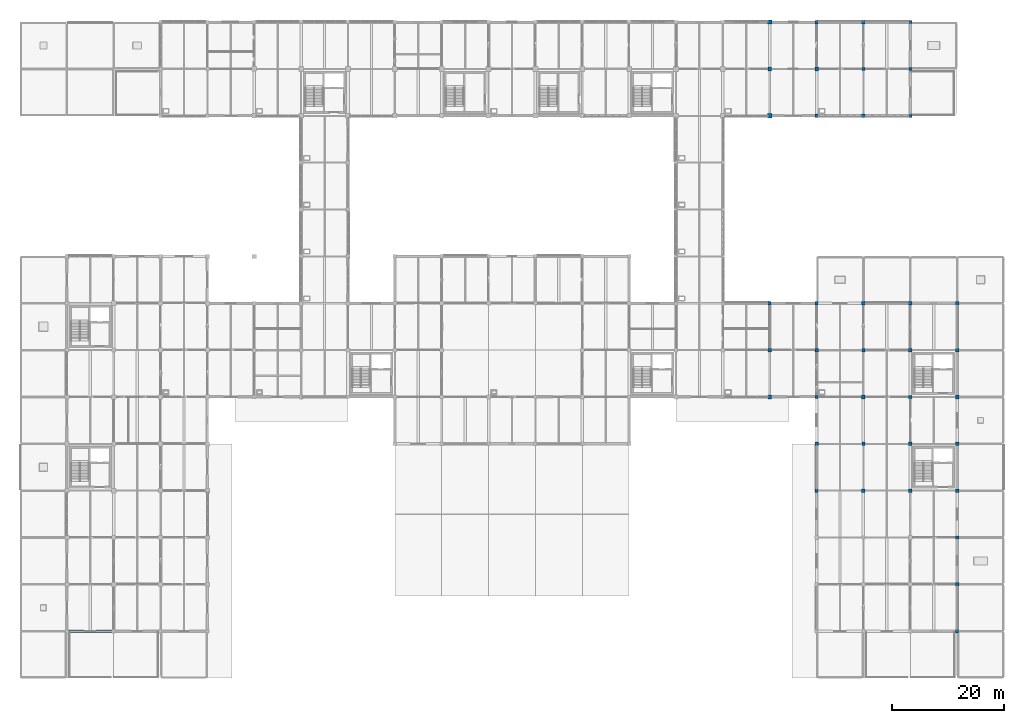
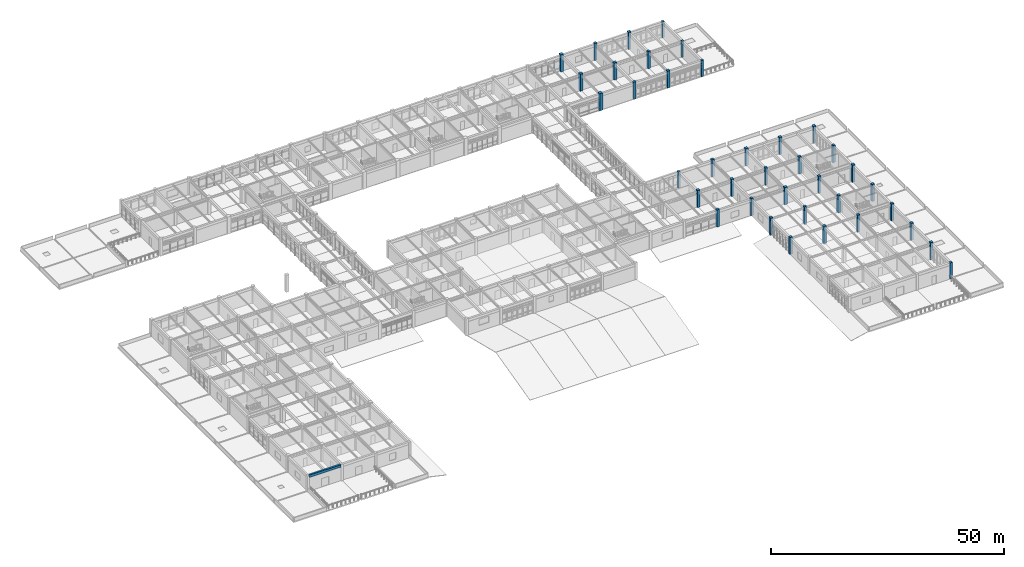
# One storey, part 2 of 78: 38 columns, 1 beam.
"""IFC4 building model written with IfcOpenShell, lengths in metres."""

from ifc_helpers import new_model, si_unit, direction, frame, origin, origin_2d, place, context, subcontext, project, spatial, rectangle, extrude, material, material_profile, profile_set, type_object, element, save


model = new_model("IFC4")

# Units and contexts
model_context = context("Model", 3, precision=1e-05, world=origin(), true_north=direction((0.0, 1.0)))
body_context = subcontext(model_context, "Body", "Model", "MODEL_VIEW")
ifc_project = project(units=[si_unit("LENGTHUNIT", "METRE"), si_unit("AREAUNIT", "SQUARE_METRE"), si_unit("VOLUMEUNIT", "CUBIC_METRE"), si_unit("PLANEANGLEUNIT", "RADIAN"), si_unit("MASSUNIT", "GRAM", prefix="KILO")], contexts=[model_context])

# Site, building, storey
site_placement = place(None, origin())
site = spatial("IfcSite", under=ifc_project, at=site_placement, CompositionType="ELEMENT")
building_placement = place(site_placement, origin())
building = spatial("IfcBuilding", under=site, at=building_placement, Name="Porcellanite Civic Hall", CompositionType="ELEMENT")
storey_placement = place(building_placement, frame((0.0, 0.0, 10.260009765625)))
storey = spatial("IfcBuildingStorey", under=building, at=storey_placement, Name="L02", CompositionType="ELEMENT", Elevation=10.260009765625)

# Columns
ifc_material_1 = material(Name="Concrete N50 (50 MPa)", Category="concrete")
ifc_material_profile_1 = material_profile(ifc_material_1, rectangle(XDim=0.550048828125, YDim=0.550048828125, at=origin_2d()), Name="RC-550x550")
ifc_profile_set_1 = profile_set([ifc_material_profile_1], Name="Concrete N50 (50 MPa)")
column_type_1 = type_object("IfcColumnType", Name="COL-550", PredefinedType="COLUMN", material=ifc_profile_set_1)
for number, where, z_axis, x_axis, name in (
    (1, (134.39990234375, 67.199951171875, 0.0), (0.0, 0.0, 1.0), (1.0, 0.0, 0.0), "Column L02 16-8"),
    (2, (159.60009765625, 100.800048828125, 0.0), (0.0, 0.0, 1.0), (1.0, 0.0, 0.0), "Column L02 19-12"),
    (3, (159.60009765625, 109.199951171875, 0.0), (0.0, 0.0, 1.0), (1.0, 0.0, 0.0), "Column L02 19-13"),
    (4, (159.60009765625, 117.60009765625, 0.0), (0.0, 0.0, 1.0), (1.0, 0.0, 0.0), "Column L02 19-14"),
    (5, (168.0, 8.39990234375, 0.0), (0.0, 0.0, 1.0), (1.0, 0.0, 0.0), "Column L02 20-1"),
):
    element("IfcColumn", number, at=place(storey_placement, frame(where, z_axis=z_axis, x_axis=x_axis)), inside=storey, type_object=column_type_1, Name=name, PredefinedType="COLUMN", context=body_context, shape_type="SweptSolid", body=[
        extrude(rectangle(XDim=0.550048828125, YDim=0.550048828125, at=origin_2d()), origin(), (0.0, 0.0, 1.0), 4.25),
    ])
ifc_material_2 = material(Name="Concrete N50 (50 MPa)", Category="concrete")
ifc_material_profile_2 = material_profile(ifc_material_2, rectangle(XDim=0.60009765625, YDim=0.60009765625, at=origin_2d()), Name="RC-600x600")
ifc_profile_set_2 = profile_set([ifc_material_profile_2], Name="Concrete N50 (50 MPa)")
column_type_2 = type_object("IfcColumnType", Name="COL-600", PredefinedType="COLUMN", material=ifc_profile_set_2)
for number, where, z_axis, x_axis, name in (
    (6, (134.39990234375, 58.800048828125, 0.0), (0.0, 0.0, 1.0), (1.0, 0.0, 0.0), "Column L02 16-7"),
    (7, (142.800048828125, 33.60009765625, 0.0), (0.0, 0.0, 1.0), (1.0, 0.0, 0.0), "Column L02 17-4"),
    (8, (142.800048828125, 50.39990234375, 0.0), (0.0, 0.0, 1.0), (1.0, 0.0, 0.0), "Column L02 17-6"),
    (9, (142.800048828125, 67.199951171875, 0.0), (0.0, 0.0, 1.0), (1.0, 0.0, 0.0), "Column L02 17-8"),
    (10, (142.800048828125, 100.800048828125, 0.0), (0.0, 0.0, 1.0), (1.0, 0.0, 0.0), "Column L02 17-12"),
    (11, (142.800048828125, 117.60009765625, 0.0), (0.0, 0.0, 1.0), (1.0, 0.0, 0.0), "Column L02 17-14"),
):
    element("IfcColumn", number, at=place(storey_placement, frame(where, z_axis=z_axis, x_axis=x_axis)), inside=storey, type_object=column_type_2, Name=name, PredefinedType="COLUMN", context=body_context, shape_type="SweptSolid", body=[
        extrude(rectangle(XDim=0.60009765625, YDim=0.60009765625, at=origin_2d()), origin(), (0.0, 0.0, 1.0), 4.5),
    ])
column_1_placement = place(storey_placement, frame((151.199951171875, 42.0, -0.300048828125), z_axis=(0.0, 0.0, 1.0), x_axis=(1.0, 0.0, 0.0)))
element("IfcColumn", 12, at=column_1_placement, inside=storey, type_object=column_type_2, Name="Column L02 18-5", PredefinedType="COLUMN", context=body_context, shape_type="SweptSolid", body=[
    extrude(rectangle(XDim=0.60009765625, YDim=0.60009765625, at=origin_2d()), origin(), (0.0, 0.0, 1.0), 4.800048828125),
])
for number, where, z_axis, x_axis, name in (
    (13, (151.199951171875, 58.800048828125, 0.0), (0.0, 0.0, 1.0), (1.0, 0.0, 0.0), "Column L02 18-7"),
    (14, (151.199951171875, 109.199951171875, 0.0), (0.0, 0.0, 1.0), (1.0, 0.0, 0.0), "Column L02 18-13"),
    (15, (159.60009765625, 33.60009765625, 0.0), (0.0, 0.0, 1.0), (1.0, 0.0, 0.0), "Column L02 19-4"),
    (16, (159.60009765625, 50.39990234375, 0.0), (0.0, 0.0, 1.0), (1.0, 0.0, 0.0), "Column L02 19-6"),
    (17, (159.60009765625, 67.199951171875, 0.0), (0.0, 0.0, 1.0), (1.0, 0.0, 0.0), "Column L02 19-8"),
    (18, (168.0, 25.199951171875, 0.0), (0.0, 0.0, 1.0), (1.0, 0.0, 0.0), "Column L02 20-3"),
    (19, (168.0, 42.0, 0.0), (0.0, 0.0, 1.0), (1.0, 0.0, 0.0), "Column L02 20-5"),
    (20, (168.0, 58.800048828125, 0.0), (0.0, 0.0, 1.0), (1.0, 0.0, 0.0), "Column L02 20-7"),
):
    element("IfcColumn", number, at=place(storey_placement, frame(where, z_axis=z_axis, x_axis=x_axis)), inside=storey, type_object=column_type_2, Name=name, PredefinedType="COLUMN", context=body_context, shape_type="SweptSolid", body=[
        extrude(rectangle(XDim=0.60009765625, YDim=0.60009765625, at=origin_2d()), origin(), (0.0, 0.0, 1.0), 4.5),
    ])
ifc_material_3 = material(Name="Concrete N50 (50 MPa)", Category="concrete")
ifc_material_profile_3 = material_profile(ifc_material_3, rectangle(XDim=0.64990234375, YDim=0.64990234375, at=origin_2d()), Name="RC-650x650")
ifc_profile_set_3 = profile_set([ifc_material_profile_3], Name="Concrete N50 (50 MPa)")
column_type_3 = type_object("IfcColumnType", Name="COL-650", PredefinedType="COLUMN", material=ifc_profile_set_3)
for number, where, z_axis, x_axis, name in (
    (21, (134.39990234375, 50.39990234375, 0.0), (0.0, 0.0, 1.0), (1.0, 0.0, 0.0), "Column L02 16-6"),
    (22, (142.800048828125, 42.0, 0.0), (0.0, 0.0, 1.0), (1.0, 0.0, 0.0), "Column L02 17-5"),
    (23, (142.800048828125, 58.800048828125, 0.0), (0.0, 0.0, 1.0), (1.0, 0.0, 0.0), "Column L02 17-7"),
    (24, (142.800048828125, 109.199951171875, 0.0), (0.0, 0.0, 1.0), (1.0, 0.0, 0.0), "Column L02 17-13"),
):
    element("IfcColumn", number, at=place(storey_placement, frame(where, z_axis=z_axis, x_axis=x_axis)), inside=storey, type_object=column_type_3, Name=name, PredefinedType="COLUMN", context=body_context, shape_type="SweptSolid", body=[
        extrude(rectangle(XDim=0.64990234375, YDim=0.64990234375, at=origin_2d()), origin(), (0.0, 0.0, 1.0), 4.5),
    ])
column_2_placement = place(storey_placement, frame((151.199951171875, 33.60009765625, -0.300048828125), z_axis=(0.0, 0.0, 1.0), x_axis=(1.0, 0.0, 0.0)))
element("IfcColumn", 25, at=column_2_placement, inside=storey, type_object=column_type_3, Name="Column L02 18-4", PredefinedType="COLUMN", context=body_context, shape_type="SweptSolid", body=[
    extrude(rectangle(XDim=0.64990234375, YDim=0.64990234375, at=origin_2d()), origin(), (0.0, 0.0, 1.0), 4.800048828125),
])
for number, where, z_axis, x_axis, name in (
    (26, (151.199951171875, 50.39990234375, 0.0), (0.0, 0.0, 1.0), (1.0, 0.0, 0.0), "Column L02 18-6"),
    (27, (151.199951171875, 67.199951171875, 0.0), (0.0, 0.0, 1.0), (1.0, 0.0, 0.0), "Column L02 18-8"),
    (28, (151.199951171875, 100.800048828125, 0.0), (0.0, 0.0, 1.0), (1.0, 0.0, 0.0), "Column L02 18-12"),
    (29, (151.199951171875, 117.60009765625, 0.0), (0.0, 0.0, 1.0), (1.0, 0.0, 0.0), "Column L02 18-14"),
    (30, (159.60009765625, 42.0, 0.0), (0.0, 0.0, 1.0), (1.0, 0.0, 0.0), "Column L02 19-5"),
    (31, (159.60009765625, 58.800048828125, 0.0), (0.0, 0.0, 1.0), (1.0, 0.0, 0.0), "Column L02 19-7"),
    (32, (168.0, 16.800048828125, 0.0), (0.0, 0.0, 1.0), (1.0, 0.0, 0.0), "Column L02 20-2"),
    (33, (168.0, 33.60009765625, 0.0), (0.0, 0.0, 1.0), (1.0, 0.0, 0.0), "Column L02 20-4"),
    (34, (168.0, 50.39990234375, 0.0), (0.0, 0.0, 1.0), (1.0, 0.0, 0.0), "Column L02 20-6"),
    (35, (168.0, 67.199951171875, 0.0), (0.0, 0.0, 1.0), (1.0, 0.0, 0.0), "Column L02 20-8"),
):
    element("IfcColumn", number, at=place(storey_placement, frame(where, z_axis=z_axis, x_axis=x_axis)), inside=storey, type_object=column_type_3, Name=name, PredefinedType="COLUMN", context=body_context, shape_type="SweptSolid", body=[
        extrude(rectangle(XDim=0.64990234375, YDim=0.64990234375, at=origin_2d()), origin(), (0.0, 0.0, 1.0), 4.5),
    ])
ifc_material_4 = material(Name="Concrete N50 (50 MPa)", Category="concrete")
ifc_material_profile_4 = material_profile(ifc_material_4, rectangle(XDim=0.699951171875, YDim=0.699951171875, at=origin_2d()), Name="RC-700x700")
ifc_profile_set_4 = profile_set([ifc_material_profile_4], Name="Concrete N50 (50 MPa)")
column_type_4 = type_object("IfcColumnType", Name="COL-700", PredefinedType="COLUMN", material=ifc_profile_set_4)
column_3_placement = place(storey_placement, frame((134.39990234375, 109.199951171875, 0.0), z_axis=(0.0, 0.0, 1.0), x_axis=(1.0, 0.0, 0.0)))
element("IfcColumn", 36, at=column_3_placement, inside=storey, type_object=column_type_4, Name="Column L02 16-13", PredefinedType="COLUMN", context=body_context, shape_type="SweptSolid", body=[
    extrude(rectangle(XDim=0.699951171875, YDim=0.699951171875, at=origin_2d()), origin(), (0.0, 0.0, 1.0), 4.5),
])
ifc_material_5 = material(Name="Concrete N50 (50 MPa)", Category="concrete")
ifc_material_profile_5 = material_profile(ifc_material_5, rectangle(XDim=0.75, YDim=0.75, at=origin_2d()), Name="RC-750x750")
ifc_profile_set_5 = profile_set([ifc_material_profile_5], Name="Concrete N50 (50 MPa)")
column_type_5 = type_object("IfcColumnType", Name="COL-750", PredefinedType="COLUMN", material=ifc_profile_set_5)
for number, where, z_axis, x_axis, name in (
    (37, (134.39990234375, 100.800048828125, 0.0), (0.0, 0.0, 1.0), (1.0, 0.0, 0.0), "Column L02 16-12"),
    (38, (134.39990234375, 117.60009765625, 0.0), (0.0, 0.0, 1.0), (1.0, 0.0, 0.0), "Column L02 16-14"),
):
    element("IfcColumn", number, at=place(storey_placement, frame(where, z_axis=z_axis, x_axis=x_axis)), inside=storey, type_object=column_type_5, Name=name, PredefinedType="COLUMN", context=body_context, shape_type="SweptSolid", body=[
        extrude(rectangle(XDim=0.75, YDim=0.75, at=origin_2d()), origin(), (0.0, 0.0, 1.0), 4.5),
    ])

# Beam
ifc_material_6 = material(Name="Concrete N50 (50 MPa)", Category="concrete")
ifc_material_profile_6 = material_profile(ifc_material_6, rectangle(XDim=0.449951171875, YDim=0.64990234375, at=origin_2d()), Name="RC-450x650")
ifc_profile_set_6 = profile_set([ifc_material_profile_6], Name="Concrete N50 (50 MPa)")
beam_type = type_object("IfcBeamType", Name="BM-RC650", PredefinedType="SPANDREL", material=ifc_profile_set_6)
beam_placement = place(storey_placement, frame((8.674560546875, 8.39990234375, 3.9150390625), z_axis=(1.0, 0.0, 0.0), x_axis=(0.0, 1.0, 0.0)))
element("IfcBeam", 39, at=beam_placement, inside=storey, type_object=beam_type, Name="Beam X L02 2-2", PredefinedType="SPANDREL", context=body_context, shape_type="SweptSolid", body=[
    extrude(rectangle(XDim=0.449951171875, YDim=0.64990234375, at=origin_2d()), origin(), (0.0, 0.0, 1.0), 7.850830078125),
])

save(model, "model.ifc")
